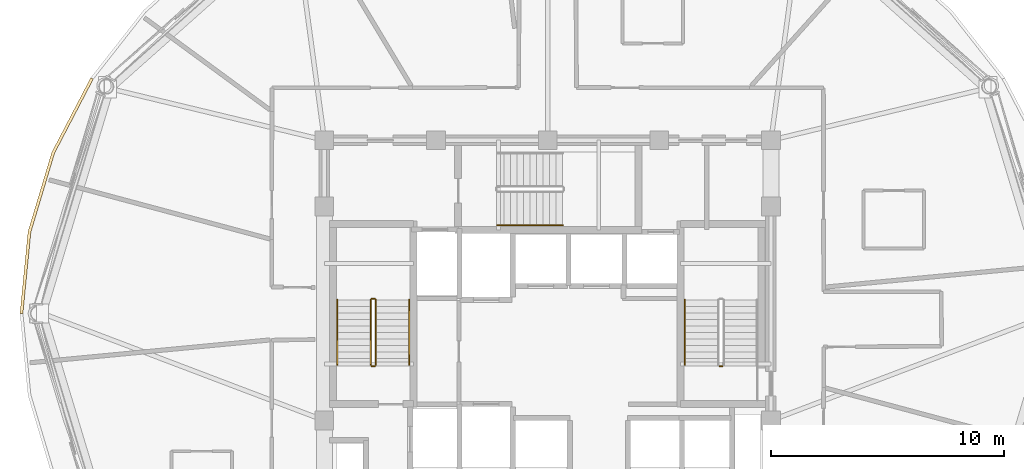
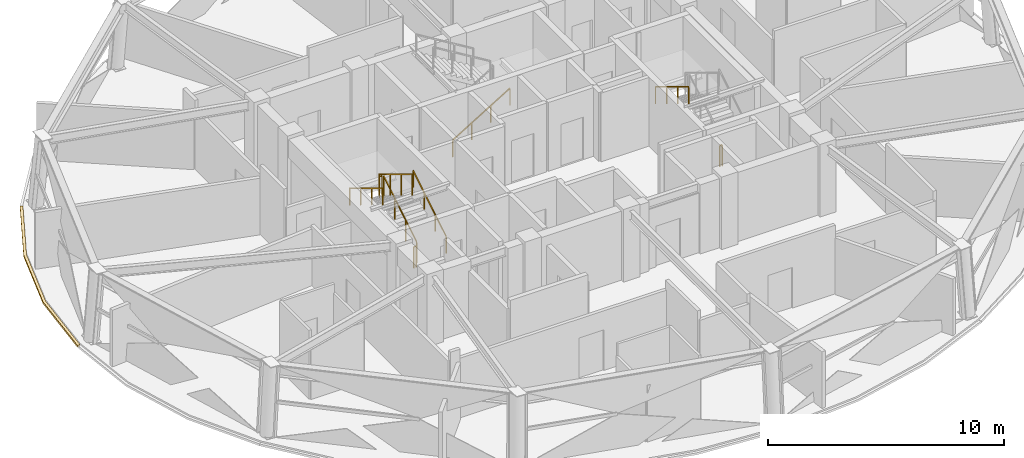
# One storey, part 9 of 11: 9 railings, 1 covering.
"""IFC4 building model written with IfcOpenShell, lengths in metres."""

from ifc_helpers import new_model, si_unit, direction, frame, origin, origin_2d, place, context, subcontext, project, spatial, polyline, rectangle, outline, extrude, material, layer, layer_set, type_object, element, save


model = new_model("IFC4")

# Units and contexts
model_context = context("Model", 3, precision=1e-05, world=origin(), true_north=direction((0.0, 1.0)))
body_context = subcontext(model_context, "Body", "Model", "MODEL_VIEW")
ifc_project = project(units=[si_unit("LENGTHUNIT", "METRE"), si_unit("AREAUNIT", "SQUARE_METRE"), si_unit("VOLUMEUNIT", "CUBIC_METRE"), si_unit("PLANEANGLEUNIT", "RADIAN"), si_unit("MASSUNIT", "GRAM", prefix="KILO")], contexts=[model_context])

# Site, building, storey
site_placement = place(None, origin())
site = spatial("IfcSite", under=ifc_project, at=site_placement, CompositionType="ELEMENT")
building_placement = place(site_placement, origin())
building = spatial("IfcBuilding", under=site, at=building_placement, Name="Vantalir Tower", CompositionType="ELEMENT")
storey_placement = place(building_placement, frame((0.0, 0.0, 231.14990234375)))
storey = spatial("IfcBuildingStorey", under=building, at=storey_placement, Name="L58", CompositionType="ELEMENT", Elevation=231.14990234375)

# Covering
ifc_material_1 = material(Name="Anodised champagne aluminium sill fascia", Category="aluminium")
ifc_layer = layer(ifc_material_1, 0.125)
ifc_layer_set = layer_set([ifc_layer], Name="Anodised champagne aluminium sill fascia")
covering_type = type_object("IfcCoveringType", Name="COV-SLAB-FASCIA-125", PredefinedType="CLADDING", material=ifc_layer_set)
covering_placement = place(storey_placement, frame((0.0, 0.0, -0.179931640625)))
element("IfcCovering", 1, at=covering_placement, inside=storey, type_object=covering_type, Name="L58 Perimeter Slab-Edge Sill Fascia 06", PredefinedType="CLADDING", context=body_context, shape_type="SweptSolid", body=[
    extrude(outline(polyline([(11.85205078125, 35.135009765625), (10.179931640625, 31.93310546875), (9.156982421875, 28.52001953125), (8.81201171875, 25.0), (8.93701171875, 25.0), (9.280029296875, 28.498046875), (10.298095703125, 31.889892578125), (11.9599609375, 35.072998046875), (11.85205078125, 35.135009765625)])), origin(), (0.0, 0.0, 1.0), 0.10498046875),
])

# Railings
ifc_material_2 = material(Name="Anodised aluminium and stainless steel guard", Category="steel")
railing_type_1 = type_object("IfcRailingType", Name="RAL-GUARD-1120", PredefinedType="GUARDRAIL", material=ifc_material_2)
railing_1_placement = place(storey_placement, frame((24.110107421875, 22.7900390625, 0.170654296875)))
element("IfcRailing", 2, at=railing_1_placement, inside=storey, type_object=railing_type_1, Name="L58 ST1 stair guard 1", PredefinedType="GUARDRAIL", context=body_context, shape_type="SweptSolid", body=[
    extrude(rectangle(XDim=0.048095703125, YDim=0.048095703125, at=origin_2d()), frame((0.0, 0.0, 1.09619140625), z_axis=(0.0, 0.854202870247, 0.519939858505), x_axis=(-1.0, 0.0, 0.0)), (0.0, 0.0, 1.0), 3.278076171875),
    extrude(rectangle(XDim=0.0419921875, YDim=0.0419921875, at=origin_2d()), origin(), (0.0, 0.0, 1.0), 1.072021484375),
    extrude(rectangle(XDim=0.0419921875, YDim=0.0419921875, at=origin_2d()), frame((0.0, 0.933349609375, 0.568115234375)), (0.0, 0.0, 1.0), 1.072021484375),
    extrude(rectangle(XDim=0.0419921875, YDim=0.0419921875, at=origin_2d()), frame((0.0, 1.86669921875, 1.13623046875)), (0.0, 0.0, 1.0), 1.072021484375),
    extrude(rectangle(XDim=0.0419921875, YDim=0.0419921875, at=origin_2d()), frame((0.0, 2.800048828125, 1.704345703125)), (0.0, 0.0, 1.0), 1.072021484375),
])
railing_2_placement = place(storey_placement, frame((24.06005859375, 25.639892578125, 1.875)))
element("IfcRailing", 3, at=railing_2_placement, inside=storey, type_object=railing_type_1, Name="L58 ST1 stair guard 2", PredefinedType="GUARDRAIL", context=body_context, shape_type="SweptSolid", body=[
    extrude(rectangle(XDim=0.048095703125, YDim=0.048095703125, at=origin_2d()), frame((0.0, 0.0, 1.09619140625), z_axis=(-1.0, 0.0, 0.0), x_axis=(0.0, -1.0, 0.0)), (0.0, 0.0, 1.0), 0.1201171875),
    extrude(rectangle(XDim=0.0419921875, YDim=0.0419921875, at=origin_2d()), origin(), (0.0, 0.0, 1.0), 1.072021484375),
    extrude(rectangle(XDim=0.0419921875, YDim=0.0419921875, at=origin_2d()), frame((-0.1201171875, 0.0, 0.0)), (0.0, 0.0, 1.0), 1.072021484375),
])
railing_3_placement = place(storey_placement, frame((23.889892578125, 25.590087890625, 2.045654296875)))
element("IfcRailing", 4, at=railing_3_placement, inside=storey, type_object=railing_type_1, Name="L58 ST1 stair guard 3", PredefinedType="GUARDRAIL", context=body_context, shape_type="SweptSolid", body=[
    extrude(rectangle(XDim=0.048095703125, YDim=0.048095703125, at=origin_2d()), frame((0.0, 0.0, 1.09619140625), z_axis=(0.0, -0.854202870247, 0.519939858505), x_axis=(1.0, 0.0, 0.0)), (0.0, 0.0, 1.0), 3.278076171875),
    extrude(rectangle(XDim=0.0419921875, YDim=0.0419921875, at=origin_2d()), origin(), (0.0, 0.0, 1.0), 1.072021484375),
    extrude(rectangle(XDim=0.0419921875, YDim=0.0419921875, at=origin_2d()), frame((0.0, -0.933349609375, 0.568115234375)), (0.0, 0.0, 1.0), 1.072021484375),
    extrude(rectangle(XDim=0.0419921875, YDim=0.0419921875, at=origin_2d()), frame((0.0, -1.86669921875, 1.13623046875)), (0.0, 0.0, 1.0), 1.072021484375),
    extrude(rectangle(XDim=0.0419921875, YDim=0.0419921875, at=origin_2d()), frame((0.0, -2.800048828125, 1.704345703125)), (0.0, 0.0, 1.0), 1.072021484375),
])
for number, where, name in (
    (5, (24.06005859375, 22.739990234375, 0.0), "L58 ST1 stair guard 4"),
    (6, (39.010009765625, 22.739990234375, 0.0), "L58 ST2 stair guard 4"),
):
    element("IfcRailing", number, at=place(storey_placement, frame(where)), inside=storey, type_object=railing_type_1, Name=name, PredefinedType="GUARDRAIL", context=body_context, shape_type="SweptSolid", body=[
        extrude(rectangle(XDim=0.048095703125, YDim=0.048095703125, at=origin_2d()), frame((0.0, 0.0, 1.09619140625), z_axis=(-1.0, 0.0, 0.0), x_axis=(0.0, -1.0, 0.0)), (0.0, 0.0, 1.0), 0.1201171875),
        extrude(rectangle(XDim=0.0419921875, YDim=0.0419921875, at=origin_2d()), origin(), (0.0, 0.0, 1.0), 1.072021484375),
        extrude(rectangle(XDim=0.0419921875, YDim=0.0419921875, at=origin_2d()), frame((-0.1201171875, 0.0, 0.0)), (0.0, 0.0, 1.0), 1.072021484375),
    ])
ifc_material_3 = material(Name="Brushed stainless steel tubular handrail", Category="steel")
railing_type_2 = type_object("IfcRailingType", Name="RAL-HANDRAIL-900", PredefinedType="HANDRAIL", material=ifc_material_3)
railing_4_placement = place(storey_placement, frame((25.550048828125, 22.7900390625, 0.170654296875)))
element("IfcRailing", 7, at=railing_4_placement, inside=storey, type_object=railing_type_2, Name="L58 ST1 stair handrail 1", PredefinedType="HANDRAIL", context=body_context, shape_type="SweptSolid", body=[
    extrude(rectangle(XDim=0.048095703125, YDim=0.048095703125, at=origin_2d()), frame((0.0, 0.0, 0.8759765625), z_axis=(0.0, 0.854202870247, 0.519939858505), x_axis=(-1.0, 0.0, 0.0)), (0.0, 0.0, 1.0), 3.278076171875),
    extrude(rectangle(XDim=0.0419921875, YDim=0.0419921875, at=origin_2d()), origin(), (0.0, 0.0, 1.0), 0.851806640625),
    extrude(rectangle(XDim=0.0419921875, YDim=0.0419921875, at=origin_2d()), frame((0.0, 0.933349609375, 0.568115234375)), (0.0, 0.0, 1.0), 0.851806640625),
    extrude(rectangle(XDim=0.0419921875, YDim=0.0419921875, at=origin_2d()), frame((0.0, 1.86669921875, 1.13623046875)), (0.0, 0.0, 1.0), 0.851806640625),
    extrude(rectangle(XDim=0.0419921875, YDim=0.0419921875, at=origin_2d()), frame((0.0, 2.800048828125, 1.704345703125)), (0.0, 0.0, 1.0), 0.851806640625),
])
for number, where, name in (
    (8, (22.449951171875, 25.590087890625, 2.045654296875), "L58 ST1 stair handrail 2"),
    (9, (37.39990234375, 25.590087890625, 2.045654296875), "L58 ST2 stair handrail 2"),
):
    element("IfcRailing", number, at=place(storey_placement, frame(where)), inside=storey, type_object=railing_type_2, Name=name, PredefinedType="HANDRAIL", context=body_context, shape_type="SweptSolid", body=[
        extrude(rectangle(XDim=0.048095703125, YDim=0.048095703125, at=origin_2d()), frame((0.0, 0.0, 0.8759765625), z_axis=(0.0, -0.854202870247, 0.519939858505), x_axis=(1.0, 0.0, 0.0)), (0.0, 0.0, 1.0), 3.278076171875),
        extrude(rectangle(XDim=0.0419921875, YDim=0.0419921875, at=origin_2d()), origin(), (0.0, 0.0, 1.0), 0.851806640625),
        extrude(rectangle(XDim=0.0419921875, YDim=0.0419921875, at=origin_2d()), frame((0.0, -0.933349609375, 0.568115234375)), (0.0, 0.0, 1.0), 0.851806640625),
        extrude(rectangle(XDim=0.0419921875, YDim=0.0419921875, at=origin_2d()), frame((0.0, -1.86669921875, 1.13623046875)), (0.0, 0.0, 1.0), 0.851806640625),
        extrude(rectangle(XDim=0.0419921875, YDim=0.0419921875, at=origin_2d()), frame((0.0, -2.800048828125, 1.704345703125)), (0.0, 0.0, 1.0), 0.851806640625),
    ])
railing_5_placement = place(storey_placement, frame((29.340087890625, 28.800048828125, 0.170654296875)))
element("IfcRailing", 10, at=railing_5_placement, inside=storey, type_object=railing_type_2, Name="L58 ST3 stair handrail 1", PredefinedType="HANDRAIL", context=body_context, shape_type="SweptSolid", body=[
    extrude(rectangle(XDim=0.048095703125, YDim=0.048095703125, at=origin_2d()), frame((0.0, 0.0, 0.8759765625), z_axis=(0.854182733786, 0.0, 0.519972939009), x_axis=(0.0, 1.0, 0.0)), (0.0, 0.0, 1.0), 3.27783203125),
    extrude(rectangle(XDim=0.0419921875, YDim=0.0419921875, at=origin_2d()), origin(), (0.0, 0.0, 1.0), 0.851806640625),
    extrude(rectangle(XDim=0.0419921875, YDim=0.0419921875, at=origin_2d()), frame((0.933349609375, 0.0, 0.568115234375)), (0.0, 0.0, 1.0), 0.851806640625),
    extrude(rectangle(XDim=0.0419921875, YDim=0.0419921875, at=origin_2d()), frame((1.866455078125, 0.0, 1.13623046875)), (0.0, 0.0, 1.0), 0.851806640625),
    extrude(rectangle(XDim=0.0419921875, YDim=0.0419921875, at=origin_2d()), frame((2.7998046875, 0.0, 1.704345703125)), (0.0, 0.0, 1.0), 0.851806640625),
])

save(model, "model.ifc")
